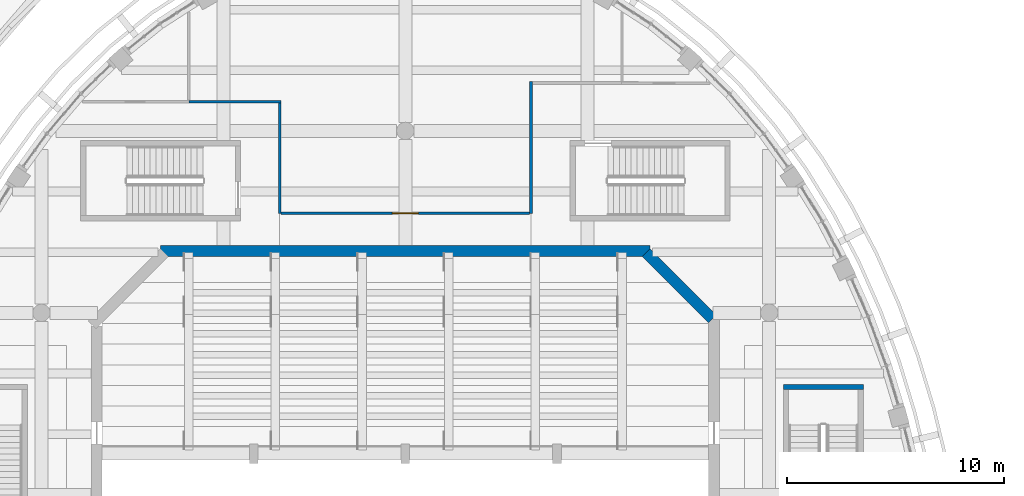
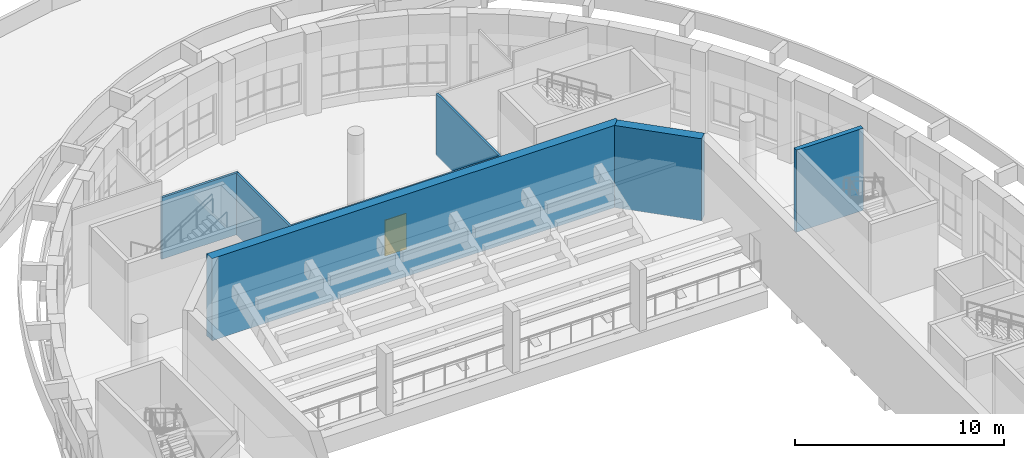
# One storey, part 32 of 79: 7 walls, 1 door, 1 opening.
"""IFC4 building model written with IfcOpenShell, lengths in metres."""

from ifc_helpers import new_model, si_unit, direction, frame, frame_2d, origin, place, context, subcontext, project, spatial, rectangle, extrude, material, layer, layer_set, type_object, element, fill, save


model = new_model("IFC4")

# Units and contexts
model_context = context("Model", 3, precision=1e-05, world=origin(), true_north=direction((0.0, 1.0)))
body_context = subcontext(model_context, "Body", "Model", "MODEL_VIEW")
ifc_project = project(units=[si_unit("LENGTHUNIT", "METRE"), si_unit("AREAUNIT", "SQUARE_METRE"), si_unit("VOLUMEUNIT", "CUBIC_METRE"), si_unit("PLANEANGLEUNIT", "RADIAN"), si_unit("MASSUNIT", "GRAM", prefix="KILO")], contexts=[model_context])

# Site, building, storey
site_placement = place(None, origin())
site = spatial("IfcSite", under=ifc_project, at=site_placement, CompositionType="ELEMENT")
building_placement = place(site_placement, origin())
building = spatial("IfcBuilding", under=site, at=building_placement, Name="Larchfold Concert Hall", CompositionType="ELEMENT")
storey_placement = place(building_placement, frame((0.0, 0.0, 14.39990234375)))
storey = spatial("IfcBuildingStorey", under=building, at=storey_placement, Name="L03", CompositionType="ELEMENT", Elevation=14.39990234375)

# Walls
ifc_material_1 = material(Name="Plasterboard partition on steel studs", Category="steel")
ifc_layer_1 = layer(ifc_material_1, 0.125)
ifc_layer_set_1 = layer_set([ifc_layer_1], Name="Plasterboard partition on steel studs")
wall_type_1 = type_object("IfcWallType", Name="Corridor partition 125 EI 60", PredefinedType="PARTITIONING", material=ifc_layer_set_1)
wall_1_placement = place(storey_placement, frame((32.6240234375, 111.14892578125, 0.0), z_axis=(0.0, 0.0, 1.0), x_axis=(1.0, 0.0, 0.0)))
element("IfcWall", 1, at=wall_1_placement, inside=storey, type_object=wall_type_1, Name="Partition IW0002", PredefinedType="PARTITIONING", context=body_context, shape_type="SweptSolid", body=[
    extrude(rectangle(XDim=4.237548828125, YDim=0.125, at=frame_2d((2.11865234375, 0.0))), origin(), (0.0, 0.0, 1.0), 3.60009765625),
])
wall_2_placement = place(storey_placement, frame((36.799072265625, 111.08642578125, 0.0), z_axis=(0.0, 0.0, 1.0), x_axis=(0.0, -1.0, 0.0)))
element("IfcWall", 2, at=wall_2_placement, inside=storey, type_object=wall_type_1, Name="Partition IW0003", PredefinedType="PARTITIONING", context=body_context, shape_type="SweptSolid", body=[
    extrude(rectangle(XDim=5.1064453125, YDim=0.125, at=frame_2d((2.55322265625, 0.0))), origin(), (0.0, 0.0, 1.0), 3.60009765625),
])
wall_3_placement = place(storey_placement, frame((48.39990234375, 105.97998046875, 0.0), z_axis=(0.0, 0.0, 1.0), x_axis=(-0.000160237149, 0.999999987162, 0.0)))
element("IfcWall", 3, at=wall_3_placement, inside=storey, type_object=wall_type_1, Name="Partition IW0005", PredefinedType="PARTITIONING", context=body_context, shape_type="SweptSolid", body=[
    extrude(rectangle(XDim=6.094482421875, YDim=0.125, at=frame_2d((3.04736328125, 0.0))), origin(), (0.0, 0.0, 1.0), 3.60009765625),
])

# Wall, opening, door
wall_4_placement = place(storey_placement, frame((36.864990234375, 106.0, 0.0), z_axis=(0.0, 0.0, 1.0), x_axis=(1.0, 0.0, 0.0)))
wall_4 = element("IfcWall", 4, at=wall_4_placement, inside=storey, type_object=wall_type_1, Name="Partition IW0007", PredefinedType="PARTITIONING", context=body_context, shape_type="SweptSolid", body=[
    extrude(rectangle(XDim=11.469970703125, YDim=0.125, at=frame_2d((5.73486328125, 0.0))), origin(), (0.0, 0.0, 1.0), 3.60009765625),
])
opening_placement = place(wall_4_placement, frame((5.135009765625, 0.0, 0.0)))
opening = element("IfcOpeningElement", 5, at=opening_placement, cuts=wall_4, Name="Opening D-L03-105", PredefinedType="OPENING", context=body_context, shape_type="SweptSolid", body=[
    extrude(rectangle(XDim=1.199951171875, YDim=2.10009765625, at=frame_2d((0.60009765625, 1.050048828125))), frame((0.0, 0.072509765625, 0.0), z_axis=(0.0, -1.0, 0.0), x_axis=(1.0, 0.0, 0.0)), (0.0, 0.0, 1.0), 0.14501953125),
])
ifc_material_2 = material(Name="Timber door leaf", Category="wood")
door_type = type_object("IfcDoorType", Name="Large room door pair 1200 x 2100 FD30S", OperationType="SINGLE_SWING_LEFT", PredefinedType="DOOR", material=ifc_material_2)
door_placement = place(opening_placement, origin())
door = element("IfcDoor", 6, at=door_placement, inside=storey, type_object=door_type, Name="Door D-L03-105", OperationType="DOUBLE_DOOR_SINGLE_SWING", OverallHeight=2.10009765625, OverallWidth=1.199951171875, PredefinedType="DOOR", context=body_context, shape_type="SweptSolid", body=[
    extrude(rectangle(XDim=1.199951171875, YDim=2.10009765625, at=frame_2d((0.60009765625, 1.050048828125))), frame((0.0, 0.02490234375, 0.0), z_axis=(0.0, -1.0, 0.0), x_axis=(1.0, 0.0, 0.0)), (0.0, 0.0, 1.0), 0.050048828125),
])
fill(opening, door)

# Walls
ifc_material_3 = material(Name="Concrete C40/50", Category="concrete")
ifc_layer_2 = layer(ifc_material_3, 0.25)
ifc_layer_set_2 = layer_set([ifc_layer_2], Name="Concrete C40/50")
wall_type_2 = type_object("IfcWallType", Name="Wall RC 250 stair core", PredefinedType="SOLIDWALL", material=ifc_layer_set_2)
wall_5_placement = place(storey_placement, frame((60.050048828125, 97.97509765625, 0.0), z_axis=(0.0, 0.0, 1.0), x_axis=(1.0, 0.0, 0.0)))
element("IfcWall", 7, at=wall_5_placement, inside=storey, type_object=wall_type_2, Name="Wall W0031", PredefinedType="SOLIDWALL", context=body_context, shape_type="SweptSolid", body=[
    extrude(rectangle(XDim=3.699951171875, YDim=0.25, at=frame_2d((1.85009765625, 0.0))), origin(), (0.0, 0.0, 1.0), 4.800048828125),
])
ifc_material_4 = material(Name="Concrete C40/50", Category="concrete")
ifc_layer_3 = layer(ifc_material_4, 0.5)
ifc_layer_set_3 = layer_set([ifc_layer_3], Name="Concrete C40/50")
wall_type_3 = type_object("IfcWallType", Name="Wall RC 500 hall shell", PredefinedType="SOLIDWALL", material=ifc_layer_set_3)
wall_6_placement = place(storey_placement, frame((56.77734375, 101.122802734375, 0.0), z_axis=(0.0, 0.0, 1.0), x_axis=(-0.707106781187, 0.707106781187, 0.0)))
element("IfcWall", 8, at=wall_6_placement, inside=storey, type_object=wall_type_3, Name="Wall W0003", PredefinedType="SOLIDWALL", context=body_context, shape_type="SweptSolid", body=[
    extrude(rectangle(XDim=4.319580078125, YDim=0.5, at=frame_2d((2.15966796875, 0.0))), origin(), (0.0, 0.0, 1.0), 4.800048828125),
])
wall_7_placement = place(storey_placement, frame((53.89990234375, 104.25, 0.0), z_axis=(0.0, 0.0, 1.0), x_axis=(-1.0, 0.0, 0.0)))
element("IfcWall", 9, at=wall_7_placement, inside=storey, type_object=wall_type_3, Name="Wall W0004", PredefinedType="SOLIDWALL", context=body_context, shape_type="SweptSolid", body=[
    extrude(rectangle(XDim=22.599853515625, YDim=0.5, at=frame_2d((11.2998046875, 0.0))), origin(), (0.0, 0.0, 1.0), 4.800048828125),
])

save(model, "model.ifc")
